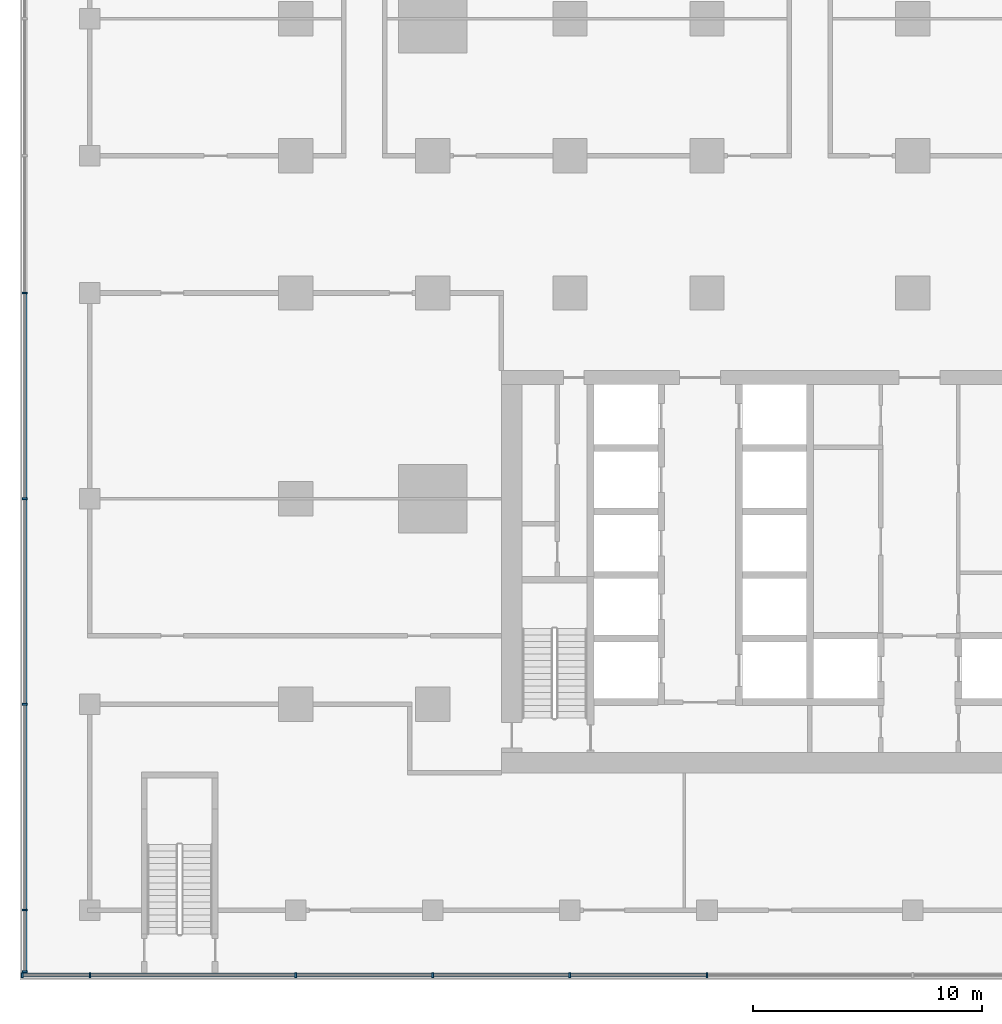
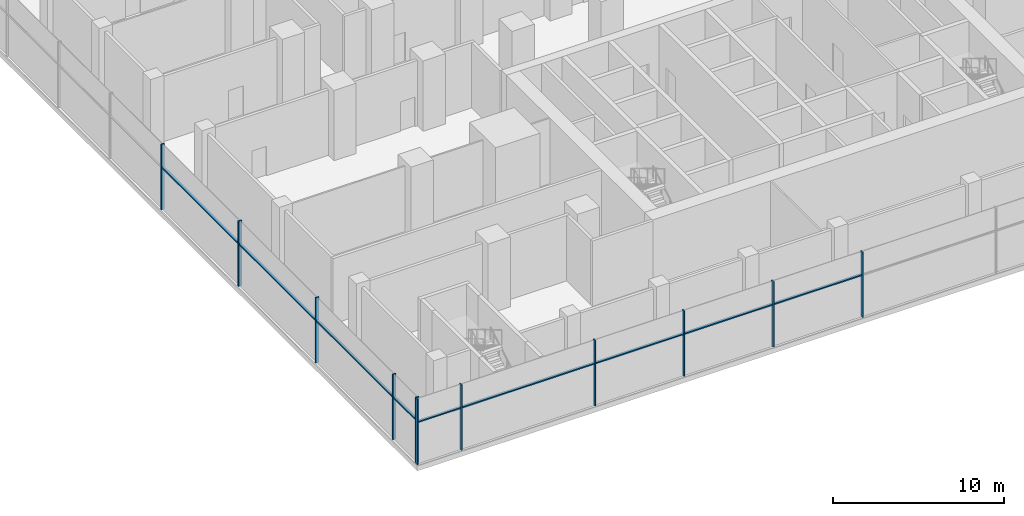
# One storey, part 2 of 22: 20 members, 2 elements without a shape of their own.
"""IFC4 building model written with IfcOpenShell, lengths in metres."""

from ifc_helpers import new_model, si_unit, direction, frame, origin, origin_2d, place, context, subcontext, project, spatial, rectangle, extrude, material, material_profile, profile_set, type_object, element, aggregate, save


model = new_model("IFC4")

# Units and contexts
model_context = context("Model", 3, precision=1e-05, world=origin(), true_north=direction((0.0, 1.0)))
body_context = subcontext(model_context, "Body", "Model", "MODEL_VIEW")
ifc_project = project(units=[si_unit("LENGTHUNIT", "METRE"), si_unit("AREAUNIT", "SQUARE_METRE"), si_unit("VOLUMEUNIT", "CUBIC_METRE"), si_unit("PLANEANGLEUNIT", "RADIAN"), si_unit("MASSUNIT", "GRAM", prefix="KILO")], contexts=[model_context])

# Site, building, storey
site_placement = place(None, origin())
site = spatial("IfcSite", under=ifc_project, at=site_placement, CompositionType="ELEMENT")
building_placement = place(site_placement, origin())
building = spatial("IfcBuilding", under=site, at=building_placement, Name="Finial Court Residences", CompositionType="ELEMENT")
storey_placement = place(building_placement, frame((0.0, 0.0, 13.5)))
storey = spatial("IfcBuildingStorey", under=building, at=storey_placement, Name="L02", CompositionType="ELEMENT", Elevation=13.5)

# Curtain wall, members
ifc_material = material(Name="Bronze anodised aluminium", Category="aluminium")
curtain_wall_type = type_object("IfcCurtainWallType", Name="Podium curtain wall", PredefinedType="NOTDEFINED", material=ifc_material)
curtain_wall_1_placement = place(storey_placement, origin())
curtain_wall_1 = element("IfcCurtainWall", 1, at=curtain_wall_1_placement, inside=storey, type_object=curtain_wall_type, Name="E-L02-CW-S3", PredefinedType="NOTDEFINED")
ifc_material_profile_1 = material_profile(ifc_material, rectangle(XDim=0.22509765625, YDim=0.080078125, at=origin_2d()), Name="CW5 mullion 80 x 225")
ifc_profile_set_1 = profile_set([ifc_material_profile_1], Name="Bronze anodised aluminium")
member_type_1 = type_object("IfcMemberType", Name="CW5 mullion 80 x 225", PredefinedType="MULLION", material=ifc_profile_set_1)
member_1_placement = place(storey_placement, frame((-34.4599609375, -34.35009765625, 0.0), z_axis=(0.0, 0.0, 1.0), x_axis=(0.0, 1.0, 0.0)))
member_1 = element("IfcMember", 2, at=member_1_placement, type_object=member_type_1, Name="CW5 mullion 1", PredefinedType="MULLION", context=body_context, shape_type="SweptSolid", body=[
    extrude(rectangle(XDim=0.22509765625, YDim=0.080078125, at=origin_2d()), origin(), (0.0, 0.0, 1.0), 4.64990234375),
])
member_2_placement = place(storey_placement, frame((-31.5, -34.35009765625, 0.0), z_axis=(0.0, 0.0, 1.0), x_axis=(0.0, 1.0, 0.0)))
member_2 = element("IfcMember", 3, at=member_2_placement, type_object=member_type_1, Name="CW5 mullion 2", PredefinedType="MULLION", context=body_context, shape_type="SweptSolid", body=[
    extrude(rectangle(XDim=0.22509765625, YDim=0.080078125, at=origin_2d()), origin(), (0.0, 0.0, 1.0), 4.64990234375),
])
member_3_placement = place(storey_placement, frame((-22.5, -34.35009765625, 0.0), z_axis=(0.0, 0.0, 1.0), x_axis=(0.0, 1.0, 0.0)))
member_3 = element("IfcMember", 4, at=member_3_placement, type_object=member_type_1, Name="CW5 mullion 3", PredefinedType="MULLION", context=body_context, shape_type="SweptSolid", body=[
    extrude(rectangle(XDim=0.22509765625, YDim=0.080078125, at=origin_2d()), origin(), (0.0, 0.0, 1.0), 4.64990234375),
])
member_4_placement = place(storey_placement, frame((-16.5, -34.35009765625, 0.0), z_axis=(0.0, 0.0, 1.0), x_axis=(0.0, 1.0, 0.0)))
member_4 = element("IfcMember", 5, at=member_4_placement, type_object=member_type_1, Name="CW5 mullion 4", PredefinedType="MULLION", context=body_context, shape_type="SweptSolid", body=[
    extrude(rectangle(XDim=0.22509765625, YDim=0.080078125, at=origin_2d()), origin(), (0.0, 0.0, 1.0), 4.64990234375),
])
member_5_placement = place(storey_placement, frame((-10.5, -34.35009765625, 0.0), z_axis=(0.0, 0.0, 1.0), x_axis=(0.0, 1.0, 0.0)))
member_5 = element("IfcMember", 6, at=member_5_placement, type_object=member_type_1, Name="CW5 mullion 5", PredefinedType="MULLION", context=body_context, shape_type="SweptSolid", body=[
    extrude(rectangle(XDim=0.22509765625, YDim=0.080078125, at=origin_2d()), origin(), (0.0, 0.0, 1.0), 4.64990234375),
])
member_6_placement = place(storey_placement, frame((-4.5, -34.35009765625, 0.0), z_axis=(0.0, 0.0, 1.0), x_axis=(0.0, 1.0, 0.0)))
member_6 = element("IfcMember", 7, at=member_6_placement, type_object=member_type_1, Name="CW5 mullion 6", PredefinedType="MULLION", context=body_context, shape_type="SweptSolid", body=[
    extrude(rectangle(XDim=0.22509765625, YDim=0.080078125, at=origin_2d()), origin(), (0.0, 0.0, 1.0), 4.64990234375),
])

curtain_wall_2_placement = place(storey_placement, origin())
curtain_wall_2 = element("IfcCurtainWall", 8, at=curtain_wall_2_placement, inside=storey, type_object=curtain_wall_type, Name="E-L02-CW-W4", PredefinedType="NOTDEFINED")
member_7_placement = place(storey_placement, frame((-34.35009765625, -34.197509765625, 0.0), z_axis=(0.0, 0.0, 1.0), x_axis=(-1.0, 0.0, 0.0)))
member_7 = element("IfcMember", 9, at=member_7_placement, type_object=member_type_1, Name="CW5 mullion 1", PredefinedType="MULLION", context=body_context, shape_type="SweptSolid", body=[
    extrude(rectangle(XDim=0.22509765625, YDim=0.080078125, at=origin_2d()), origin(), (0.0, 0.0, 1.0), 4.64990234375),
])
member_8_placement = place(storey_placement, frame((-34.35009765625, -31.5, 0.0), z_axis=(0.0, 0.0, 1.0), x_axis=(-1.0, 0.0, 0.0)))
member_8 = element("IfcMember", 10, at=member_8_placement, type_object=member_type_1, Name="CW5 mullion 2", PredefinedType="MULLION", context=body_context, shape_type="SweptSolid", body=[
    extrude(rectangle(XDim=0.22509765625, YDim=0.080078125, at=origin_2d()), origin(), (0.0, 0.0, 1.0), 4.64990234375),
])
member_9_placement = place(storey_placement, frame((-34.35009765625, -22.5, 0.0), z_axis=(0.0, 0.0, 1.0), x_axis=(-1.0, 0.0, 0.0)))
member_9 = element("IfcMember", 11, at=member_9_placement, type_object=member_type_1, Name="CW5 mullion 3", PredefinedType="MULLION", context=body_context, shape_type="SweptSolid", body=[
    extrude(rectangle(XDim=0.22509765625, YDim=0.080078125, at=origin_2d()), origin(), (0.0, 0.0, 1.0), 4.64990234375),
])
member_10_placement = place(storey_placement, frame((-34.35009765625, -13.5, 0.0), z_axis=(0.0, 0.0, 1.0), x_axis=(-1.0, 0.0, 0.0)))
member_10 = element("IfcMember", 12, at=member_10_placement, type_object=member_type_1, Name="CW5 mullion 4", PredefinedType="MULLION", context=body_context, shape_type="SweptSolid", body=[
    extrude(rectangle(XDim=0.22509765625, YDim=0.080078125, at=origin_2d()), origin(), (0.0, 0.0, 1.0), 4.64990234375),
])
member_11_placement = place(storey_placement, frame((-34.35009765625, -4.5, 0.0), z_axis=(0.0, 0.0, 1.0), x_axis=(-1.0, 0.0, 0.0)))
member_11 = element("IfcMember", 13, at=member_11_placement, type_object=member_type_1, Name="CW5 mullion 5", PredefinedType="MULLION", context=body_context, shape_type="SweptSolid", body=[
    extrude(rectangle(XDim=0.22509765625, YDim=0.080078125, at=origin_2d()), origin(), (0.0, 0.0, 1.0), 4.64990234375),
])

# Member
ifc_material_profile_2 = material_profile(ifc_material, rectangle(XDim=0.175048828125, YDim=0.080078125, at=origin_2d()), Name="CW5 transom 80 x 175")
ifc_profile_set_2 = profile_set([ifc_material_profile_2], Name="Bronze anodised aluminium")
member_type_2 = type_object("IfcMemberType", Name="CW5 transom 80 x 175", PredefinedType="USERDEFINED", material=ifc_profile_set_2)
member_12_placement = place(storey_placement, frame((-34.419921875, -34.35009765625, 3.0), z_axis=(1.0, 0.0, 0.0), x_axis=(0.0, 1.0, 0.0)))
member_12 = element("IfcMember", 14, at=member_12_placement, type_object=member_type_2, Name="CW5 transom 1.1", ObjectType="TRANSOM", PredefinedType="USERDEFINED", context=body_context, shape_type="SweptSolid", body=[
    extrude(rectangle(XDim=0.175048828125, YDim=0.080078125, at=origin_2d()), origin(), (0.0, 0.0, 1.0), 2.8798828125),
])

member_13_placement = place(storey_placement, frame((-31.4599609375, -34.35009765625, 3.0), z_axis=(1.0, 0.0, 0.0), x_axis=(0.0, 1.0, 0.0)))
member_13 = element("IfcMember", 15, at=member_13_placement, type_object=member_type_2, Name="CW5 transom 2.1", ObjectType="TRANSOM", PredefinedType="USERDEFINED", context=body_context, shape_type="SweptSolid", body=[
    extrude(rectangle(XDim=0.175048828125, YDim=0.080078125, at=origin_2d()), origin(), (0.0, 0.0, 1.0), 8.919921875),
])

member_14_placement = place(storey_placement, frame((-22.4599609375, -34.35009765625, 3.0), z_axis=(1.0, 0.0, 0.0), x_axis=(0.0, 1.0, 0.0)))
member_14 = element("IfcMember", 16, at=member_14_placement, type_object=member_type_2, Name="CW5 transom 3.1", ObjectType="TRANSOM", PredefinedType="USERDEFINED", context=body_context, shape_type="SweptSolid", body=[
    extrude(rectangle(XDim=0.175048828125, YDim=0.080078125, at=origin_2d()), origin(), (0.0, 0.0, 1.0), 5.919921875),
])

member_15_placement = place(storey_placement, frame((-16.4599609375, -34.35009765625, 3.0), z_axis=(1.0, 0.0, 0.0), x_axis=(0.0, 1.0, 0.0)))
member_15 = element("IfcMember", 17, at=member_15_placement, type_object=member_type_2, Name="CW5 transom 4.1", ObjectType="TRANSOM", PredefinedType="USERDEFINED", context=body_context, shape_type="SweptSolid", body=[
    extrude(rectangle(XDim=0.175048828125, YDim=0.080078125, at=origin_2d()), origin(), (0.0, 0.0, 1.0), 5.919921875),
])

member_16_placement = place(storey_placement, frame((-10.4599609375, -34.35009765625, 3.0), z_axis=(1.0, 0.0, 0.0), x_axis=(0.0, 1.0, 0.0)))
member_16 = element("IfcMember", 18, at=member_16_placement, type_object=member_type_2, Name="CW5 transom 5.1", ObjectType="TRANSOM", PredefinedType="USERDEFINED", context=body_context, shape_type="SweptSolid", body=[
    extrude(rectangle(XDim=0.175048828125, YDim=0.080078125, at=origin_2d()), origin(), (0.0, 0.0, 1.0), 5.919921875),
])

aggregate(curtain_wall_1, [member_1, member_2, member_3, member_4, member_5, member_6, member_12, member_13, member_14, member_15, member_16])

member_17_placement = place(storey_placement, frame((-34.35009765625, -34.157470703125, 3.0), z_axis=(0.0, 1.0, 0.0), x_axis=(-1.0, 0.0, 0.0)))
member_17 = element("IfcMember", 19, at=member_17_placement, type_object=member_type_2, Name="CW5 transom 1.1", ObjectType="TRANSOM", PredefinedType="USERDEFINED", context=body_context, shape_type="SweptSolid", body=[
    extrude(rectangle(XDim=0.175048828125, YDim=0.080078125, at=origin_2d()), origin(), (0.0, 0.0, 1.0), 2.617431640625),
])

member_18_placement = place(storey_placement, frame((-34.35009765625, -31.4599609375, 3.0), z_axis=(0.0, 1.0, 0.0), x_axis=(-1.0, 0.0, 0.0)))
member_18 = element("IfcMember", 20, at=member_18_placement, type_object=member_type_2, Name="CW5 transom 2.1", ObjectType="TRANSOM", PredefinedType="USERDEFINED", context=body_context, shape_type="SweptSolid", body=[
    extrude(rectangle(XDim=0.175048828125, YDim=0.080078125, at=origin_2d()), origin(), (0.0, 0.0, 1.0), 8.919921875),
])

member_19_placement = place(storey_placement, frame((-34.35009765625, -22.4599609375, 3.0), z_axis=(0.0, 1.0, 0.0), x_axis=(-1.0, 0.0, 0.0)))
member_19 = element("IfcMember", 21, at=member_19_placement, type_object=member_type_2, Name="CW5 transom 3.1", ObjectType="TRANSOM", PredefinedType="USERDEFINED", context=body_context, shape_type="SweptSolid", body=[
    extrude(rectangle(XDim=0.175048828125, YDim=0.080078125, at=origin_2d()), origin(), (0.0, 0.0, 1.0), 8.919921875),
])

member_20_placement = place(storey_placement, frame((-34.35009765625, -13.4599609375, 3.0), z_axis=(0.0, 1.0, 0.0), x_axis=(-1.0, 0.0, 0.0)))
member_20 = element("IfcMember", 22, at=member_20_placement, type_object=member_type_2, Name="CW5 transom 4.1", ObjectType="TRANSOM", PredefinedType="USERDEFINED", context=body_context, shape_type="SweptSolid", body=[
    extrude(rectangle(XDim=0.175048828125, YDim=0.080078125, at=origin_2d()), origin(), (0.0, 0.0, 1.0), 8.919921875),
])

aggregate(curtain_wall_2, [member_7, member_8, member_9, member_10, member_11, member_17, member_18, member_19, member_20])

save(model, "model.ifc")
